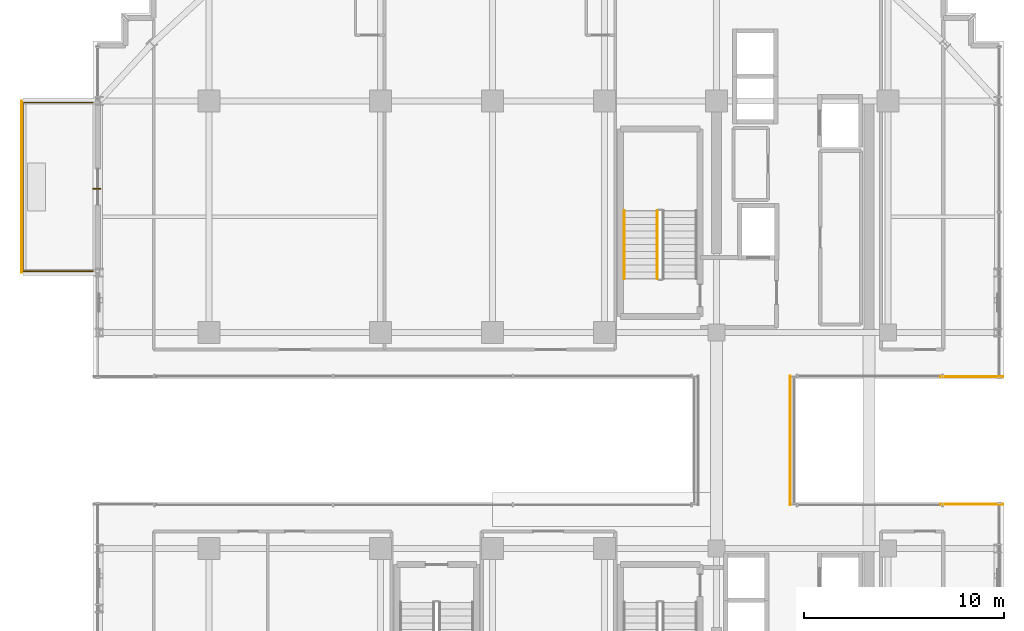
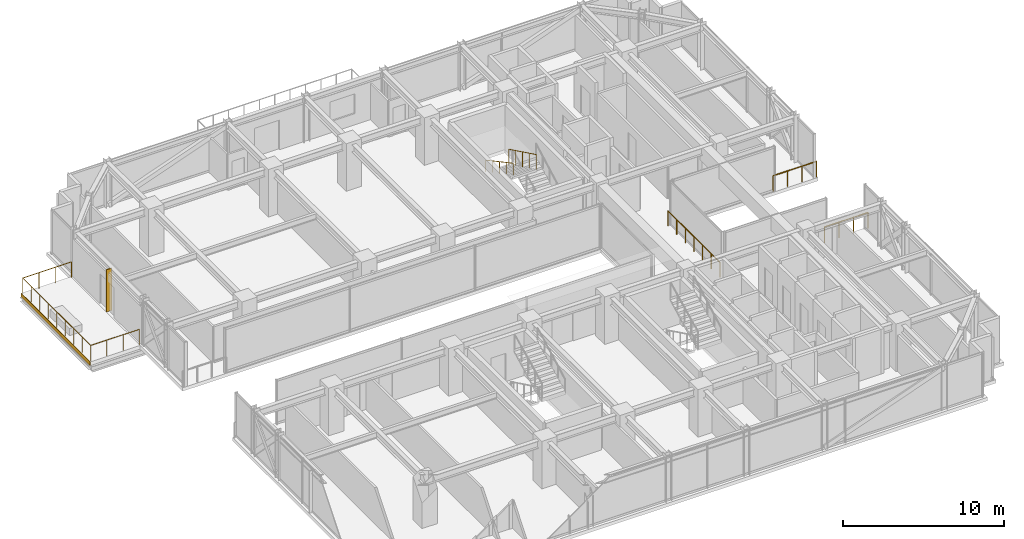
# One storey, part 41 of 43: 6 railings, 1 covering, 1 shading device.
"""IFC4 building model written with IfcOpenShell, lengths in metres."""

from ifc_helpers import new_model, si_unit, direction, frame, origin, origin_2d, place, context, subcontext, project, spatial, rectangle, circle, extrude, source, transform, mapped, material, layer, layer_set, type_object, element, save


model = new_model("IFC4")

# Units and contexts
model_context = context("Model", 3, precision=1e-05, world=origin(), true_north=direction((0.0, 1.0)))
body_context = subcontext(model_context, "Body", "Model", "MODEL_VIEW")
ifc_project = project(units=[si_unit("LENGTHUNIT", "METRE"), si_unit("AREAUNIT", "SQUARE_METRE"), si_unit("VOLUMEUNIT", "CUBIC_METRE"), si_unit("PLANEANGLEUNIT", "RADIAN"), si_unit("MASSUNIT", "GRAM", prefix="KILO")], contexts=[model_context])

# Site, building, storey
site_placement = place(None, origin())
site = spatial("IfcSite", under=ifc_project, at=site_placement, CompositionType="ELEMENT")
building_placement = place(site_placement, origin())
building = spatial("IfcBuilding", under=site, at=building_placement, Name="Nahalor Promenade Grand Hotel", CompositionType="ELEMENT")
storey_placement = place(building_placement, frame((0.0, 0.0, 181.85009765625)))
storey = spatial("IfcBuildingStorey", under=building, at=storey_placement, Name="L46", CompositionType="ELEMENT", Elevation=181.85009765625)

# Railings
ifc_material_1 = material(Name="Anodised Bronze Aluminium EN AW-6063 T6", Category="aluminium")
railing_type_1 = type_object("IfcRailingType", Name="Bronze Balcony Guardrail 1200 mm", PredefinedType="GUARDRAIL", material=ifc_material_1)
for number, where, name in (
    (1, (19.6201171875, -3.199951171875, 0.0), "L46 Oculus Void Edge Guardrail ES"),
    (2, (19.6201171875, 3.199951171875, 0.0), "L46 Oculus Void Edge Guardrail EN"),
):
    element("IfcRailing", number, at=place(storey_placement, frame(where)), inside=storey, type_object=railing_type_1, Name=name, PredefinedType="GUARDRAIL", context=body_context, shape_type="SweptSolid", body=[
        extrude(circle(Radius=0.024048, at=origin_2d()), frame((0.0, 0.0, 1.17578125), z_axis=(1.0, 0.0, 0.0), x_axis=(0.0, 1.0, 0.0)), (0.0, 0.0, 1.0), 3.119873046875),
        extrude(circle(Radius=0.020996, at=origin_2d()), origin(), (0.0, 0.0, 1.0), 1.14990234375),
        extrude(circle(Radius=0.020996, at=origin_2d()), frame((1.0400390625, 0.0, 0.0)), (0.0, 0.0, 1.0), 1.14990234375),
        extrude(circle(Radius=0.020996, at=origin_2d()), frame((2.079833984375, 0.0, 0.0)), (0.0, 0.0, 1.0), 1.14990234375),
        extrude(circle(Radius=0.020996, at=origin_2d()), frame((3.119873046875, 0.0, 0.0)), (0.0, 0.0, 1.0), 1.14990234375),
    ])
railing_1_placement = place(storey_placement, frame((-22.800048828125, 8.47998046875, 0.0)))
element("IfcRailing", 3, at=railing_1_placement, inside=storey, type_object=railing_type_1, Name="L46 Balcony Guardrail 2", PredefinedType="GUARDRAIL", context=body_context, shape_type="SweptSolid", body=[
    extrude(circle(Radius=0.024048, at=origin_2d()), frame((0.0, 0.0, 1.17578125), z_axis=(-1.0, 0.0, 0.0), x_axis=(0.0, -1.0, 0.0)), (0.0, 0.0, 1.0), 3.498046875),
    extrude(circle(Radius=0.024048, at=origin_2d()), frame((-3.5, 0.001953125, 1.17578125), z_axis=(0.0, 1.0, 0.0), x_axis=(-1.0, 0.0, 0.0)), (0.0, 0.0, 1.0), 8.43603515625),
    extrude(circle(Radius=0.024048, at=origin_2d()), frame((-3.498046875, 8.43994140625, 1.17578125), z_axis=(1.0, 0.0, 0.0), x_axis=(0.0, 1.0, 0.0)), (0.0, 0.0, 1.0), 3.498046875),
    extrude(circle(Radius=0.020996, at=origin_2d()), origin(), (0.0, 0.0, 1.0), 1.14990234375),
    extrude(circle(Radius=0.020996, at=origin_2d()), frame((-1.166748046875, 0.0, 0.0)), (0.0, 0.0, 1.0), 1.14990234375),
    extrude(circle(Radius=0.020996, at=origin_2d()), frame((-2.333251953125, 0.0, 0.0)), (0.0, 0.0, 1.0), 1.14990234375),
    extrude(circle(Radius=0.020996, at=origin_2d()), frame((-3.5, 0.0, 0.0)), (0.0, 0.0, 1.0), 1.14990234375),
    extrude(circle(Radius=0.020996, at=origin_2d()), frame((-3.5, 1.054931640625, 0.0)), (0.0, 0.0, 1.0), 1.14990234375),
    extrude(circle(Radius=0.020996, at=origin_2d()), frame((-3.5, 2.10986328125, 0.0)), (0.0, 0.0, 1.0), 1.14990234375),
    extrude(circle(Radius=0.020996, at=origin_2d()), frame((-3.5, 3.1650390625, 0.0)), (0.0, 0.0, 1.0), 1.14990234375),
    extrude(circle(Radius=0.020996, at=origin_2d()), frame((-3.5, 4.219970703125, 0.0)), (0.0, 0.0, 1.0), 1.14990234375),
    extrude(circle(Radius=0.020996, at=origin_2d()), frame((-3.5, 5.27490234375, 0.0)), (0.0, 0.0, 1.0), 1.14990234375),
    extrude(circle(Radius=0.020996, at=origin_2d()), frame((-3.5, 6.330078125, 0.0)), (0.0, 0.0, 1.0), 1.14990234375),
    extrude(circle(Radius=0.020996, at=origin_2d()), frame((-3.5, 7.385009765625, 0.0)), (0.0, 0.0, 1.0), 1.14990234375),
    extrude(circle(Radius=0.020996, at=origin_2d()), frame((-3.5, 8.43994140625, 0.0)), (0.0, 0.0, 1.0), 1.14990234375),
    extrude(circle(Radius=0.020996, at=origin_2d()), frame((-2.333251953125, 8.43994140625, 0.0)), (0.0, 0.0, 1.0), 1.14990234375),
    extrude(circle(Radius=0.020996, at=origin_2d()), frame((-1.166748046875, 8.43994140625, 0.0)), (0.0, 0.0, 1.0), 1.14990234375),
    extrude(circle(Radius=0.020996, at=origin_2d()), frame((0.0, 8.43994140625, 0.0)), (0.0, 0.0, 1.0), 1.14990234375),
])
railing_type_2 = type_object("IfcRailingType", Name="Bronze Sky Balustrade 1150 mm", PredefinedType="BALUSTRADE", material=ifc_material_1)
railing_2_placement = place(storey_placement, frame((12.10009765625, -3.219970703125, 0.0)))
element("IfcRailing", 4, at=railing_2_placement, inside=storey, type_object=railing_type_2, Name="BL-L46-BRG-E", PredefinedType="BALUSTRADE", context=body_context, shape_type="SweptSolid", body=[
    extrude(circle(Radius=0.024048, at=origin_2d()), frame((0.0, 0.0, 1.1259765625), z_axis=(0.0, 1.0, 0.0), x_axis=(-1.0, 0.0, 0.0)), (0.0, 0.0, 1.0), 6.43994140625),
    extrude(circle(Radius=0.020996, at=origin_2d()), origin(), (0.0, 0.0, 1.0), 1.099853515625),
    extrude(circle(Radius=0.020996, at=origin_2d()), frame((0.0, 1.0732421875, 0.0)), (0.0, 0.0, 1.0), 1.099853515625),
    extrude(circle(Radius=0.020996, at=origin_2d()), frame((0.0, 2.146728515625, 0.0)), (0.0, 0.0, 1.0), 1.099853515625),
    extrude(circle(Radius=0.020996, at=origin_2d()), frame((0.0, 3.219970703125, 0.0)), (0.0, 0.0, 1.0), 1.099853515625),
    extrude(circle(Radius=0.020996, at=origin_2d()), frame((0.0, 4.293212890625, 0.0)), (0.0, 0.0, 1.0), 1.099853515625),
    extrude(circle(Radius=0.020996, at=origin_2d()), frame((0.0, 5.36669921875, 0.0)), (0.0, 0.0, 1.0), 1.099853515625),
    extrude(circle(Radius=0.020996, at=origin_2d()), frame((0.0, 6.43994140625, 0.0)), (0.0, 0.0, 1.0), 1.099853515625),
])
ifc_material_2 = material(Name="Steel S355JR", Category="steel")
railing_type_3 = type_object("IfcRailingType", Name="Steel Stair Guardrail 1150 mm", PredefinedType="GUARDRAIL", material=ifc_material_2)
railing_3_placement = place(storey_placement, frame((5.449951171875, 11.5, 1.99072265625)))
element("IfcRailing", 5, at=railing_3_placement, inside=storey, type_object=railing_type_3, Name="L46 ST1 stair guard 3", PredefinedType="GUARDRAIL", context=body_context, shape_type="SweptSolid", body=[
    extrude(circle(Radius=0.024048, at=origin_2d()), frame((0.0, 0.0, 1.1259765625), z_axis=(0.0, -0.898696488221, 0.438571114028), x_axis=(1.0, 0.0, 0.0)), (0.0, 0.0, 1.0), 3.783203125),
    extrude(circle(Radius=0.020996, at=origin_2d()), origin(), (0.0, 0.0, 1.0), 1.099853515625),
    extrude(circle(Radius=0.020996, at=origin_2d()), frame((0.0, -0.85009765625, 0.414794921875)), (0.0, 0.0, 1.0), 1.099853515625),
    extrude(circle(Radius=0.020996, at=origin_2d()), frame((0.0, -1.699951171875, 0.82958984375)), (0.0, 0.0, 1.0), 1.099853515625),
    extrude(circle(Radius=0.020996, at=origin_2d()), frame((0.0, -2.5498046875, 1.244384765625)), (0.0, 0.0, 1.0), 1.099853515625),
    extrude(circle(Radius=0.020996, at=origin_2d()), frame((0.0, -3.39990234375, 1.6591796875)), (0.0, 0.0, 1.0), 1.099853515625),
])
railing_type_4 = type_object("IfcRailingType", Name="Steel Stair Handrail 900 mm", PredefinedType="HANDRAIL", material=ifc_material_2)
railing_4_placement = place(storey_placement, frame((3.800048828125, 11.5, 1.99072265625)))
element("IfcRailing", 6, at=railing_4_placement, inside=storey, type_object=railing_type_4, Name="L46 ST1 stair handrail 2", PredefinedType="HANDRAIL", context=body_context, shape_type="SweptSolid", body=[
    extrude(circle(Radius=0.024048, at=origin_2d()), frame((0.0, 0.0, 0.8759765625), z_axis=(0.0, -0.881067672671, 0.472990228413), x_axis=(1.0, 0.0, 0.0)), (0.0, 0.0, 1.0), 3.85888671875),
    extrude(circle(Radius=0.020996, at=origin_2d()), origin(), (0.0, 0.0, 1.0), 0.849853515625),
    extrude(circle(Radius=0.020996, at=origin_2d()), frame((0.0, -0.85009765625, 0.456298828125)), (0.0, 0.0, 1.0), 0.849853515625),
    extrude(circle(Radius=0.020996, at=origin_2d()), frame((0.0, -1.699951171875, 0.91259765625)), (0.0, 0.0, 1.0), 0.849853515625),
    extrude(circle(Radius=0.020996, at=origin_2d()), frame((0.0, -2.5498046875, 1.368896484375)), (0.0, 0.0, 1.0), 0.849853515625),
    extrude(circle(Radius=0.020996, at=origin_2d()), frame((0.0, -3.39990234375, 1.8251953125)), (0.0, 0.0, 1.0), 0.849853515625),
])

# Shading device
ifc_layer_1 = layer(ifc_material_1, 0.06005859375)
ifc_layer_set_1 = layer_set([ifc_layer_1], Name="Anodised Bronze Aluminium EN AW-6063 T6")
shading_device_type = type_object("IfcShadingDeviceType", Name="Shade-SolarFin-Bronze", PredefinedType="JALOUSIE", material=ifc_layer_set_1)
shared_shape_1 = source(origin(), body_context, "Body", "SweptSolid", [
    extrude(rectangle(XDim=0.3798828125, YDim=0.06005859375, at=origin_2d()), origin(), (0.0, 0.0, 1.0), 3.199951171875),
])
shading_device_placement = place(storey_placement, frame((-22.610107421875, 12.60009765625, 0.0), z_axis=(0.0, 0.0, 1.0), x_axis=(1.0, 0.0, 0.0)))
element("IfcShadingDevice", 7, at=shading_device_placement, inside=storey, type_object=shading_device_type, Name="JAL-L46-W2", PredefinedType="JALOUSIE", context=body_context, shape_type="MappedRepresentation", body=[
    mapped(shared_shape_1, transform((0.0, 0.0, 0.0), scale=1.0)),
])

# Covering
ifc_layer_2 = layer(ifc_material_1, 0.0400390625)
ifc_layer_set_2 = layer_set([ifc_layer_2], Name="Anodised Bronze Aluminium EN AW-6063 T6")
covering_type = type_object("IfcCoveringType", Name="Bronze Spandrel Cladding Panel", PredefinedType="CLADDING", material=ifc_layer_set_2)
shared_shape_2 = source(origin(), body_context, "Body", "SweptSolid", [
    extrude(rectangle(XDim=8.60009765625, YDim=0.0400390625, at=origin_2d()), origin(), (0.0, 0.0, 1.0), 0.280029296875),
])
covering_placement = place(storey_placement, frame((-26.360107421875, 12.699951171875, -0.2802734375), z_axis=(0.0, 0.0, 1.0), x_axis=(0.0, 1.0, 0.0)))
element("IfcCovering", 8, at=covering_placement, inside=storey, type_object=covering_type, Name="CL-L46-BALC-02", PredefinedType="CLADDING", context=body_context, shape_type="MappedRepresentation", body=[
    mapped(shared_shape_2, transform((0.0, 0.0, 0.0), scale=1.0)),
])

save(model, "model.ifc")
